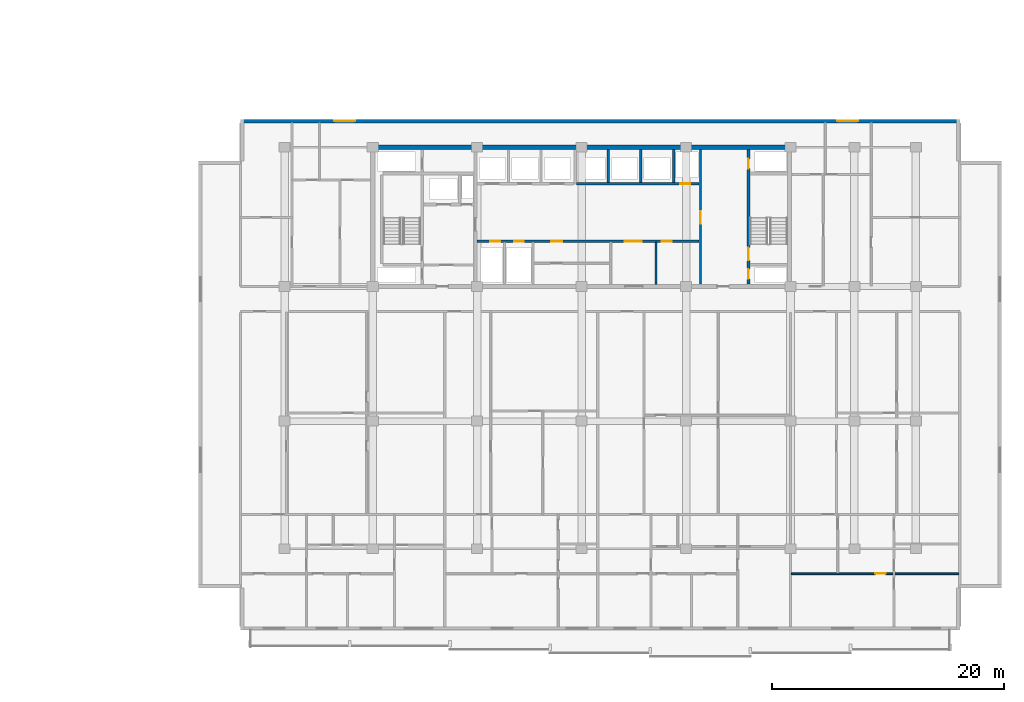
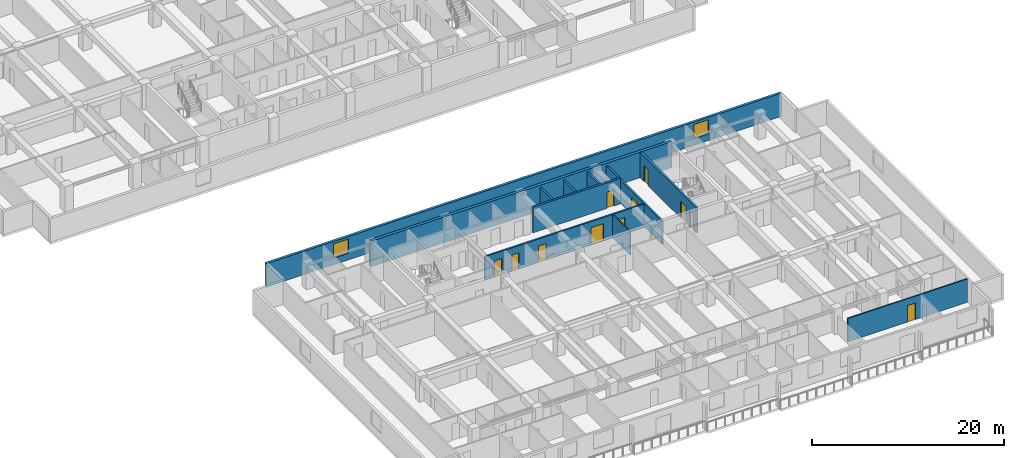
# One storey, part 8 of 23: 11 doors, 11 walls, 2 windows, 13 openings.
"""IFC4 building model written with IfcOpenShell, lengths in metres."""

from ifc_helpers import new_model, si_unit, direction, frame, frame_2d, origin, place, context, subcontext, project, spatial, rectangle, extrude, material, layer, layer_set, type_object, element, fill, save


model = new_model("IFC4")

# Units and contexts
model_context = context("Model", 3, precision=1e-05, world=origin(), true_north=direction((0.0, 1.0)))
body_context = subcontext(model_context, "Body", "Model", "MODEL_VIEW")
ifc_project = project(units=[si_unit("LENGTHUNIT", "METRE"), si_unit("AREAUNIT", "SQUARE_METRE"), si_unit("VOLUMEUNIT", "CUBIC_METRE"), si_unit("PLANEANGLEUNIT", "RADIAN"), si_unit("MASSUNIT", "GRAM", prefix="KILO")], contexts=[model_context])

# Site, building, storey
site_placement = place(None, origin())
site = spatial("IfcSite", under=ifc_project, at=site_placement, CompositionType="ELEMENT")
building_placement = place(site_placement, origin())
building = spatial("IfcBuilding", under=site, at=building_placement, Name="Korimba Cascade Residences", CompositionType="ELEMENT")
storey_placement = place(building_placement, frame((0.0, 0.0, 69.5)))
storey = spatial("IfcBuildingStorey", under=building, at=storey_placement, Name="L19", CompositionType="ELEMENT", Elevation=69.5)

# Wall, openings, windows
ifc_material_1 = material(Name="Precast concrete C40/50", Category="concrete")
ifc_layer_1 = layer(ifc_material_1, 0.300048828125)
ifc_layer_set_1 = layer_set([ifc_layer_1], Name="Precast concrete C40/50")
wall_type_1 = type_object("IfcWallType", Name="EW-STONE-300", PredefinedType="STANDARD", material=ifc_layer_set_1)
wall_1_placement = place(storey_placement, frame((132.699951171875, 32.64990234375, 0.0), z_axis=(0.0, 0.0, 1.0), x_axis=(-1.0, 0.0, 0.0)))
wall_1 = element("IfcWall", 1, at=wall_1_placement, inside=storey, type_object=wall_type_1, Name="L19 T2 Perimeter Stone Wall E06", PredefinedType="STANDARD", context=body_context, shape_type="SweptSolid", body=[
    extrude(rectangle(XDim=62.0, YDim=0.300048828125, at=frame_2d((31.0, 0.0))), origin(), (0.0, 0.0, 1.0), 2.969970703125),
])
opening_1_placement = place(wall_1_placement, frame((52.125, 0.0, 0.85009765625)))
opening_1 = element("IfcOpeningElement", 2, at=opening_1_placement, cuts=wall_1, Name="Opening W-02", PredefinedType="OPENING", context=body_context, shape_type="SweptSolid", body=[
    extrude(rectangle(XDim=1.800048828125, YDim=1.800048828125, at=frame_2d((0.89990234375, 0.89990234375))), frame((0.0, 0.16015625, 0.0), z_axis=(0.0, -1.0, 0.0), x_axis=(1.0, 0.0, 0.0)), (0.0, 0.0, 1.0), 0.320068359375),
])
opening_2_placement = place(wall_1_placement, frame((8.77490234375, 0.0, 0.85009765625)))
opening_2 = element("IfcOpeningElement", 3, at=opening_2_placement, cuts=wall_1, Name="Opening W-02", PredefinedType="OPENING", context=body_context, shape_type="SweptSolid", body=[
    extrude(rectangle(XDim=1.800048828125, YDim=1.800048828125, at=frame_2d((0.89990234375, 0.89990234375))), frame((0.0, 0.16015625, 0.0), z_axis=(0.0, -1.0, 0.0), x_axis=(1.0, 0.0, 0.0)), (0.0, 0.0, 1.0), 0.320068359375),
])
ifc_material_2 = material(Name="Double-Glazed Aluminium Window", Category="aluminium")
window_type = type_object("IfcWindowType", Name="WIN-BED-1800", PartitioningType="SINGLE_PANEL", PredefinedType="WINDOW", material=ifc_material_2)
window_1_placement = place(opening_1_placement, origin())
window_1 = element("IfcWindow", 4, at=window_1_placement, inside=storey, type_object=window_type, Name="L19 T2 North Corner Bedroom Window 1", OverallHeight=1.800048828125, OverallWidth=1.800048828125, PartitioningType="SINGLE_PANEL", PredefinedType="WINDOW", context=body_context, shape_type="SweptSolid", body=[
    extrude(rectangle(XDim=1.800048828125, YDim=1.800048828125, at=frame_2d((0.89990234375, 0.89990234375))), frame((0.0, 0.030029296875, 0.0), z_axis=(0.0, -1.0, 0.0), x_axis=(1.0, 0.0, 0.0)), (0.0, 0.0, 1.0), 0.06005859375),
])
fill(opening_1, window_1)
window_2_placement = place(opening_2_placement, origin())
window_2 = element("IfcWindow", 5, at=window_2_placement, inside=storey, type_object=window_type, Name="L19 T2 North Corner Bedroom Window 2", OverallHeight=1.800048828125, OverallWidth=1.800048828125, PartitioningType="SINGLE_PANEL", PredefinedType="WINDOW", context=body_context, shape_type="SweptSolid", body=[
    extrude(rectangle(XDim=1.800048828125, YDim=1.800048828125, at=frame_2d((0.89990234375, 0.89990234375))), frame((0.0, 0.030029296875, 0.0), z_axis=(0.0, -1.0, 0.0), x_axis=(1.0, 0.0, 0.0)), (0.0, 0.0, 1.0), 0.06005859375),
])
fill(opening_2, window_2)

# Walls
ifc_material_3 = material(Name="Concrete C65/80", Category="concrete")
ifc_layer_2 = layer(ifc_material_3, 0.35009765625)
ifc_layer_set_2 = layer_set([ifc_layer_2], Name="Concrete C65/80")
wall_type_2 = type_object("IfcWallType", Name="WAL-CORE-350", PredefinedType="SHEAR", material=ifc_layer_set_2)
wall_2_placement = place(storey_placement, frame((81.925048828125, 30.39990234375, 0.0), z_axis=(0.0, 0.0, 1.0), x_axis=(1.0, 0.0, 0.0)))
element("IfcWall", 6, at=wall_2_placement, inside=storey, type_object=wall_type_2, Name="L19 Core Shear Wall CW-L19-T2-N", PredefinedType="SHEAR", context=body_context, shape_type="SweptSolid", body=[
    extrude(rectangle(XDim=36.264892578125, YDim=0.35009765625, at=frame_2d((18.13232421875, 0.0))), origin(), (0.0, 0.0, 1.0), 3.25),
])
ifc_material_4 = material(Name="Insulated Acoustic Stud Partition", Category="gypsum")
ifc_layer_3 = layer(ifc_material_4, 0.14990234375)
ifc_layer_set_3 = layer_set([ifc_layer_3], Name="Insulated Acoustic Stud Partition")
wall_type_3 = type_object("IfcWallType", Name="WAL-PART-150", PredefinedType="PARTITIONING", material=ifc_layer_set_3)
wall_3_placement = place(storey_placement, frame((106.5, 18.60009765625, 0.0), z_axis=(0.0, 0.0, 1.0), x_axis=(0.0, 1.0, 0.0)))
element("IfcWall", 7, at=wall_3_placement, inside=storey, type_object=wall_type_3, Name="L19 Partition Wall CW-L19-T2-THE", PredefinedType="PARTITIONING", context=body_context, shape_type="SweptSolid", body=[
    extrude(rectangle(XDim=3.599853515625, YDim=0.14990234375, at=frame_2d((1.7998046875, 0.0))), origin(), (0.0, 0.0, 1.0), 2.969970703125),
])

# Wall, opening, door
wall_4_placement = place(storey_placement, frame((118.179931640625, -6.35009765625, 0.0), z_axis=(0.0, 0.0, 1.0), x_axis=(1.0, 0.0, 0.0)))
wall_4 = element("IfcWall", 8, at=wall_4_placement, inside=storey, type_object=wall_type_3, Name="L19 Partition Wall WAL-L19-T2-U04-HZ", PredefinedType="PARTITIONING", context=body_context, shape_type="SweptSolid", body=[
    extrude(rectangle(XDim=14.440185546875, YDim=0.14990234375, at=frame_2d((7.22021484375, 0.0))), origin(), (0.0, 0.0, 1.0), 2.969970703125),
])
opening_3_placement = place(wall_4_placement, frame((7.2060546875, 0.0, 0.0)))
opening_3 = element("IfcOpeningElement", 9, at=opening_3_placement, cuts=wall_4, Name="Opening D-IN0", PredefinedType="OPENING", context=body_context, shape_type="SweptSolid", body=[
    extrude(rectangle(XDim=0.93994140625, YDim=2.10009765625, at=frame_2d((0.469970703125, 1.050048828125))), frame((0.0, 0.0849609375, 0.0), z_axis=(0.0, -1.0, 0.0), x_axis=(1.0, 0.0, 0.0)), (0.0, 0.0, 1.0), 0.169921875),
])
ifc_material_5 = material(Name="Acoustic Timber Living Archway Door", Category="wood")
door_type_1 = type_object("IfcDoorType", Name="DR-INT-950", OperationType="NOTDEFINED", PredefinedType="DOOR", material=ifc_material_5)
door_1_placement = place(opening_3_placement, origin())
door_1 = element("IfcDoor", 10, at=door_1_placement, inside=storey, type_object=door_type_1, Name="L19-T2-U04 Living Archway Door", OperationType="SINGLE_SWING_LEFT", OverallHeight=2.10009765625, OverallWidth=0.93994140625, PredefinedType="DOOR", context=body_context, shape_type="SweptSolid", body=[
    extrude(rectangle(XDim=0.93994140625, YDim=2.10009765625, at=frame_2d((0.469970703125, 1.050048828125))), frame((0.0, 0.02490234375, 0.0), z_axis=(0.0, -1.0, 0.0), x_axis=(1.0, 0.0, 0.0)), (0.0, 0.0, 1.0), 0.050048828125),
])
fill(opening_3, door_1)

# Walls
ifc_material_6 = material(Name="Concrete C40/50", Category="concrete")
ifc_layer_4 = layer(ifc_material_6, 0.199951171875)
ifc_layer_set_4 = layer_set([ifc_layer_4], Name="Concrete C40/50")
wall_type_4 = type_object("IfcWallType", Name="WAL-PART-200", PredefinedType="PARTITIONING", material=ifc_layer_set_4)
for number, where, z_axis, x_axis, name in (
    (11, (102.39990234375, 27.3798828125, 0.0), (0.0, 0.0, 1.0), (0.0, 1.0, 0.0), "L19 Partition Wall CW-L19-T2-B2D1"),
    (12, (105.199951171875, 27.3798828125, 0.0), (0.0, 0.0, 1.0), (0.0, 1.0, 0.0), "L19 Partition Wall CW-L19-T2-B2D2"),
    (13, (108.050048828125, 27.3798828125, 0.0), (0.0, 0.0, 1.0), (0.0, 1.0, 0.0), "L19 Partition Wall CW-L19-T2-B2D3"),
):
    element("IfcWall", number, at=place(storey_placement, frame(where, z_axis=z_axis, x_axis=x_axis)), inside=storey, type_object=wall_type_4, Name=name, PredefinedType="PARTITIONING", context=body_context, shape_type="SweptSolid", body=[
        extrude(rectangle(XDim=2.820068359375, YDim=0.199951171875, at=frame_2d((1.41015625, 0.0))), origin(), (0.0, 0.0, 1.0), 2.969970703125),
    ])

# Wall, openings, doors
wall_5_placement = place(storey_placement, frame((91.080078125, 22.300048828125, 0.0), z_axis=(0.0, 0.0, 1.0), x_axis=(1.0, 0.0, 0.0)))
wall_5 = element("IfcWall", 14, at=wall_5_placement, inside=storey, type_object=wall_type_4, Name="L19 Partition Wall CW-L19-T2-SRVROW", PredefinedType="PARTITIONING", context=body_context, shape_type="SweptSolid", body=[
    extrude(rectangle(XDim=19.139892578125, YDim=0.199951171875, at=frame_2d((9.56982421875, 0.0))), origin(), (0.0, 0.0, 1.0), 2.969970703125),
])
opening_4_placement = place(wall_5_placement, frame((1.14990234375, 0.0, 0.0)))
opening_4 = element("IfcOpeningElement", 15, at=opening_4_placement, cuts=wall_5, Name="Opening D-RS1", PredefinedType="OPENING", context=body_context, shape_type="SweptSolid", body=[
    extrude(rectangle(XDim=0.85009765625, YDim=2.050048828125, at=frame_2d((0.425048828125, 1.02490234375))), frame((0.0, 0.10986328125, 0.0), z_axis=(0.0, -1.0, 0.0), x_axis=(1.0, 0.0, 0.0)), (0.0, 0.0, 1.0), 0.219970703125),
])
opening_5_placement = place(wall_5_placement, frame((3.199951171875, 0.0, 0.0)))
opening_5 = element("IfcOpeningElement", 16, at=opening_5_placement, cuts=wall_5, Name="Opening D-RS1", PredefinedType="OPENING", context=body_context, shape_type="SweptSolid", body=[
    extrude(rectangle(XDim=0.85009765625, YDim=2.050048828125, at=frame_2d((0.425048828125, 1.02490234375))), frame((0.0, 0.10986328125, 0.0), z_axis=(0.0, -1.0, 0.0), x_axis=(1.0, 0.0, 0.0)), (0.0, 0.0, 1.0), 0.219970703125),
])
opening_6_placement = place(wall_5_placement, frame((12.719970703125, 0.0, 0.0)))
opening_6 = element("IfcOpeningElement", 17, at=opening_6_placement, cuts=wall_5, Name="Opening D-FD8", PredefinedType="OPENING", context=body_context, shape_type="SweptSolid", body=[
    extrude(rectangle(XDim=1.5, YDim=2.199951171875, at=frame_2d((0.75, 1.10009765625))), frame((0.0, 0.10986328125, 0.0), z_axis=(0.0, -1.0, 0.0), x_axis=(1.0, 0.0, 0.0)), (0.0, 0.0, 1.0), 0.219970703125),
])
opening_7_placement = place(wall_5_placement, frame((6.419921875, 0.0, 0.0)))
opening_7 = element("IfcOpeningElement", 18, at=opening_7_placement, cuts=wall_5, Name="Opening D-IN1", PredefinedType="OPENING", context=body_context, shape_type="SweptSolid", body=[
    extrude(rectangle(XDim=0.919921875, YDim=2.080078125, at=frame_2d((0.4599609375, 1.0400390625))), frame((0.0, 0.10986328125, 0.0), z_axis=(0.0, -1.0, 0.0), x_axis=(1.0, 0.0, 0.0)), (0.0, 0.0, 1.0), 0.219970703125),
])
opening_8_placement = place(wall_5_placement, frame((15.919921875, 0.0, 0.0)))
opening_8 = element("IfcOpeningElement", 19, at=opening_8_placement, cuts=wall_5, Name="Opening D-IN2", PredefinedType="OPENING", context=body_context, shape_type="SweptSolid", body=[
    extrude(rectangle(XDim=0.8798828125, YDim=2.06005859375, at=frame_2d((0.43994140625, 1.030029296875))), frame((0.0, 0.10986328125, 0.0), z_axis=(0.0, -1.0, 0.0), x_axis=(1.0, 0.0, 0.0)), (0.0, 0.0, 1.0), 0.219970703125),
])
ifc_material_7 = material(Name="Fire-Rated Steel Riser Access Door", Category="steel")
door_type_2 = type_object("IfcDoorType", Name="DR-FD60-850", OperationType="NOTDEFINED", PredefinedType="DOOR", material=ifc_material_7)
door_2_placement = place(opening_4_placement, origin())
door_2 = element("IfcDoor", 20, at=door_2_placement, inside=storey, type_object=door_type_2, Name="L19 T2 Electrical Riser Door", OperationType="SINGLE_SWING_LEFT", OverallHeight=2.050048828125, OverallWidth=0.85009765625, PredefinedType="DOOR", context=body_context, shape_type="SweptSolid", body=[
    extrude(rectangle(XDim=0.85009765625, YDim=2.050048828125, at=frame_2d((0.425048828125, 1.02490234375))), frame((0.0, 0.02490234375, 0.0), z_axis=(0.0, -1.0, 0.0), x_axis=(1.0, 0.0, 0.0)), (0.0, 0.0, 1.0), 0.050048828125),
])
fill(opening_4, door_2)
door_3_placement = place(opening_5_placement, origin())
door_3 = element("IfcDoor", 21, at=door_3_placement, inside=storey, type_object=door_type_2, Name="L19 T2 Plumbing Riser Door", OperationType="SINGLE_SWING_RIGHT", OverallHeight=2.050048828125, OverallWidth=0.85009765625, PredefinedType="DOOR", context=body_context, shape_type="SweptSolid", body=[
    extrude(rectangle(XDim=0.85009765625, YDim=2.050048828125, at=frame_2d((0.425048828125, 1.02490234375))), frame((0.0, 0.02490234375, 0.0), z_axis=(0.0, -1.0, 0.0), x_axis=(1.0, 0.0, 0.0)), (0.0, 0.0, 1.0), 0.050048828125),
])
fill(opening_5, door_3)
ifc_material_8 = material(Name="Fire-Rated Glazed Lift Lobby Double Door", Category="glass")
door_type_3 = type_object("IfcDoorType", Name="DR-FD90-1500", OperationType="NOTDEFINED", PredefinedType="DOOR", material=ifc_material_8)
door_4_placement = place(opening_6_placement, origin())
door_4 = element("IfcDoor", 22, at=door_4_placement, inside=storey, type_object=door_type_3, Name="L19 T2 Lift Lobby Foyer Door", OperationType="DOUBLE_DOOR_SINGLE_SWING", OverallHeight=2.199951171875, OverallWidth=1.5, PredefinedType="DOOR", context=body_context, shape_type="SweptSolid", body=[
    extrude(rectangle(XDim=1.5, YDim=2.199951171875, at=frame_2d((0.75, 1.10009765625))), frame((0.0, 0.02490234375, 0.0), z_axis=(0.0, -1.0, 0.0), x_axis=(1.0, 0.0, 0.0)), (0.0, 0.0, 1.0), 0.050048828125),
])
fill(opening_6, door_4)
ifc_material_9 = material(Name="Acoustic Timber Bedroom Door", Category="wood")
door_type_4 = type_object("IfcDoorType", Name="DR-INT-880", OperationType="NOTDEFINED", PredefinedType="DOOR", material=ifc_material_9)
door_5_placement = place(opening_8_placement, origin())
door_5 = element("IfcDoor", 23, at=door_5_placement, inside=storey, type_object=door_type_4, Name="L19 T2 Staff WC Door", OperationType="SINGLE_SWING_RIGHT", OverallHeight=2.06005859375, OverallWidth=0.8798828125, PredefinedType="DOOR", context=body_context, shape_type="SweptSolid", body=[
    extrude(rectangle(XDim=0.8798828125, YDim=2.06005859375, at=frame_2d((0.43994140625, 1.030029296875))), frame((0.0, 0.02490234375, 0.0), z_axis=(0.0, -1.0, 0.0), x_axis=(1.0, 0.0, 0.0)), (0.0, 0.0, 1.0), 0.050048828125),
])
fill(opening_8, door_5)
ifc_material_10 = material(Name="Acoustic Timber Living Door", Category="wood")
door_type_5 = type_object("IfcDoorType", Name="DR-INT-920", OperationType="NOTDEFINED", PredefinedType="DOOR", material=ifc_material_10)
door_6_placement = place(opening_7_placement, origin())
door_6 = element("IfcDoor", 24, at=door_6_placement, inside=storey, type_object=door_type_5, Name="L19 T2 Locker Door", OperationType="SINGLE_SWING_LEFT", OverallHeight=2.080078125, OverallWidth=0.919921875, PredefinedType="DOOR", context=body_context, shape_type="SweptSolid", body=[
    extrude(rectangle(XDim=0.919921875, YDim=2.080078125, at=frame_2d((0.4599609375, 1.0400390625))), frame((0.0, 0.02490234375, 0.0), z_axis=(0.0, -1.0, 0.0), x_axis=(1.0, 0.0, 0.0)), (0.0, 0.0, 1.0), 0.050048828125),
])
fill(opening_7, door_6)

# Wall, opening, door
wall_6_placement = place(storey_placement, frame((110.35009765625, 18.60009765625, 0.0), z_axis=(0.0, 0.0, 1.0), x_axis=(0.0, 1.0, 0.0)))
wall_6 = element("IfcWall", 25, at=wall_6_placement, inside=storey, type_object=wall_type_4, Name="L19 Partition Wall CW-L19-T2-LLEV", PredefinedType="PARTITIONING", context=body_context, shape_type="SweptSolid", body=[
    extrude(rectangle(XDim=11.599853515625, YDim=0.199951171875, at=frame_2d((5.7998046875, 0.0))), origin(), (0.0, 0.0, 1.0), 2.969970703125),
])
opening_9_placement = place(wall_6_placement, frame((5.199951171875, 0.0, 0.0)))
opening_9 = element("IfcOpeningElement", 26, at=opening_9_placement, cuts=wall_6, Name="Opening D-FD6", PredefinedType="OPENING", context=body_context, shape_type="SweptSolid", body=[
    extrude(rectangle(XDim=1.10009765625, YDim=2.14990234375, at=frame_2d((0.550048828125, 1.074951171875))), frame((0.0, 0.10986328125, 0.0), z_axis=(0.0, -1.0, 0.0), x_axis=(1.0, 0.0, 0.0)), (0.0, 0.0, 1.0), 0.219970703125),
])
ifc_material_11 = material(Name="Fire-Rated Timber Stair Lobby Door", Category="wood")
door_type_6 = type_object("IfcDoorType", Name="DR-FD90-1100", OperationType="NOTDEFINED", PredefinedType="DOOR", material=ifc_material_11)
door_7_placement = place(opening_9_placement, origin())
door_7 = element("IfcDoor", 27, at=door_7_placement, inside=storey, type_object=door_type_6, Name="L19 T2 Lift Lobby to East Stair Lobby Door", OperationType="SINGLE_SWING_LEFT", OverallHeight=2.14990234375, OverallWidth=1.10009765625, PredefinedType="DOOR", context=body_context, shape_type="SweptSolid", body=[
    extrude(rectangle(XDim=1.10009765625, YDim=2.14990234375, at=frame_2d((0.550048828125, 1.074951171875))), frame((0.0, 0.02490234375, 0.0), z_axis=(0.0, -1.0, 0.0), x_axis=(1.0, 0.0, 0.0)), (0.0, 0.0, 1.0), 0.050048828125),
])
fill(opening_9, door_7)

ifc_material_12 = material(Name="Concrete C50/60", Category="concrete")
ifc_layer_5 = layer(ifc_material_12, 0.25)
ifc_layer_set_5 = layer_set([ifc_layer_5], Name="Concrete C50/60")
wall_type_5 = type_object("IfcWallType", Name="WAL-SHAFT-250", PredefinedType="SHEAR", material=ifc_layer_set_5)
wall_7_placement = place(storey_placement, frame((99.679931640625, 27.25, 0.0), z_axis=(0.0, 0.0, 1.0), x_axis=(1.0, 0.0, 0.0)))
wall_7 = element("IfcWall", 28, at=wall_7_placement, inside=storey, type_object=wall_type_5, Name="L19 Core Shear Wall CW-L19-T2-B2S", PredefinedType="SHEAR", context=body_context, shape_type="SweptSolid", body=[
    extrude(rectangle(XDim=10.5400390625, YDim=0.25, at=frame_2d((5.27001953125, 0.0))), origin(), (0.0, 0.0, 1.0), 3.25),
])
opening_10_placement = place(wall_7_placement, frame((8.919921875, 0.0, 0.0)))
opening_10 = element("IfcOpeningElement", 29, at=opening_10_placement, cuts=wall_7, Name="Opening D-RS1", PredefinedType="OPENING", context=body_context, shape_type="SweptSolid", body=[
    extrude(rectangle(XDim=0.85009765625, YDim=2.050048828125, at=frame_2d((0.425048828125, 1.02490234375))), frame((0.0, 0.135009765625, 0.0), z_axis=(0.0, -1.0, 0.0), x_axis=(1.0, 0.0, 0.0)), (0.0, 0.0, 1.0), 0.27001953125),
])
door_8_placement = place(opening_10_placement, origin())
door_8 = element("IfcDoor", 30, at=door_8_placement, inside=storey, type_object=door_type_2, Name="L19 T2 Duct Door", OperationType="SINGLE_SWING_LEFT", OverallHeight=2.050048828125, OverallWidth=0.85009765625, PredefinedType="DOOR", context=body_context, shape_type="SweptSolid", body=[
    extrude(rectangle(XDim=0.85009765625, YDim=2.050048828125, at=frame_2d((0.425048828125, 1.02490234375))), frame((0.0, 0.02490234375, 0.0), z_axis=(0.0, -1.0, 0.0), x_axis=(1.0, 0.0, 0.0)), (0.0, 0.0, 1.0), 0.050048828125),
])
fill(opening_10, door_8)

# Wall, openings, doors
wall_8_placement = place(storey_placement, frame((114.47509765625, 18.60009765625, 0.0), z_axis=(0.0, 0.0, 1.0), x_axis=(0.0, 1.0, 0.0)))
wall_8 = element("IfcWall", 31, at=wall_8_placement, inside=storey, type_object=wall_type_5, Name="L19 Core Shear Wall CW-L19-T2-STE2W", PredefinedType="SHEAR", context=body_context, shape_type="SweptSolid", body=[
    extrude(rectangle(XDim=11.599853515625, YDim=0.25, at=frame_2d((5.7998046875, 0.0))), origin(), (0.0, 0.0, 1.0), 3.25),
])
opening_11_placement = place(wall_8_placement, frame((0.449951171875, 0.0, 0.0)))
opening_11 = element("IfcOpeningElement", 32, at=opening_11_placement, cuts=wall_8, Name="Opening D-RS1", PredefinedType="OPENING", context=body_context, shape_type="SweptSolid", body=[
    extrude(rectangle(XDim=0.85009765625, YDim=2.050048828125, at=frame_2d((0.425048828125, 1.02490234375))), frame((0.0, 0.135009765625, 0.0), z_axis=(0.0, -1.0, 0.0), x_axis=(1.0, 0.0, 0.0)), (0.0, 0.0, 1.0), 0.27001953125),
])
opening_12_placement = place(wall_8_placement, frame((2.050048828125, 0.0, 0.0)))
opening_12 = element("IfcOpeningElement", 33, at=opening_12_placement, cuts=wall_8, Name="Opening D-FD1", PredefinedType="OPENING", context=body_context, shape_type="SweptSolid", body=[
    extrude(rectangle(XDim=1.10009765625, YDim=2.10009765625, at=frame_2d((0.550048828125, 1.050048828125))), frame((0.0, 0.135009765625, 0.0), z_axis=(0.0, -1.0, 0.0), x_axis=(1.0, 0.0, 0.0)), (0.0, 0.0, 1.0), 0.27001953125),
])
opening_13_placement = place(wall_8_placement, frame((9.949951171875, 0.0, 0.0)))
opening_13 = element("IfcOpeningElement", 34, at=opening_13_placement, cuts=wall_8, Name="Opening D-RS1", PredefinedType="OPENING", context=body_context, shape_type="SweptSolid", body=[
    extrude(rectangle(XDim=0.85009765625, YDim=2.050048828125, at=frame_2d((0.425048828125, 1.02490234375))), frame((0.0, 0.135009765625, 0.0), z_axis=(0.0, -1.0, 0.0), x_axis=(1.0, 0.0, 0.0)), (0.0, 0.0, 1.0), 0.27001953125),
])
ifc_material_13 = material(Name="Fire-Rated Steel Core Door", Category="steel")
door_type_7 = type_object("IfcDoorType", Name="DR-FD120-1100", OperationType="NOTDEFINED", PredefinedType="DOOR", material=ifc_material_13)
door_9_placement = place(opening_12_placement, origin())
door_9 = element("IfcDoor", 35, at=door_9_placement, inside=storey, type_object=door_type_7, Name="L19 Fire Stair ST-E2 Door", OperationType="SINGLE_SWING_LEFT", OverallHeight=2.10009765625, OverallWidth=1.10009765625, PredefinedType="DOOR", context=body_context, shape_type="SweptSolid", body=[
    extrude(rectangle(XDim=1.10009765625, YDim=2.10009765625, at=frame_2d((0.550048828125, 1.050048828125))), frame((0.0, 0.02490234375, 0.0), z_axis=(0.0, -1.0, 0.0), x_axis=(1.0, 0.0, 0.0)), (0.0, 0.0, 1.0), 0.050048828125),
])
fill(opening_12, door_9)
door_10_placement = place(opening_11_placement, origin())
door_10 = element("IfcDoor", 36, at=door_10_placement, inside=storey, type_object=door_type_2, Name="L19 T2 East Hydrant Door", OperationType="SINGLE_SWING_RIGHT", OverallHeight=2.050048828125, OverallWidth=0.85009765625, PredefinedType="DOOR", context=body_context, shape_type="SweptSolid", body=[
    extrude(rectangle(XDim=0.85009765625, YDim=2.050048828125, at=frame_2d((0.425048828125, 1.02490234375))), frame((0.0, 0.02490234375, 0.0), z_axis=(0.0, -1.0, 0.0), x_axis=(1.0, 0.0, 0.0)), (0.0, 0.0, 1.0), 0.050048828125),
])
fill(opening_11, door_10)
door_11_placement = place(opening_13_placement, origin())
door_11 = element("IfcDoor", 37, at=door_11_placement, inside=storey, type_object=door_type_2, Name="L19 T2 East Riser Door", OperationType="SINGLE_SWING_RIGHT", OverallHeight=2.050048828125, OverallWidth=0.85009765625, PredefinedType="DOOR", context=body_context, shape_type="SweptSolid", body=[
    extrude(rectangle(XDim=0.85009765625, YDim=2.050048828125, at=frame_2d((0.425048828125, 1.02490234375))), frame((0.0, 0.02490234375, 0.0), z_axis=(0.0, -1.0, 0.0), x_axis=(1.0, 0.0, 0.0)), (0.0, 0.0, 1.0), 0.050048828125),
])
fill(opening_13, door_11)

save(model, "model.ifc")
